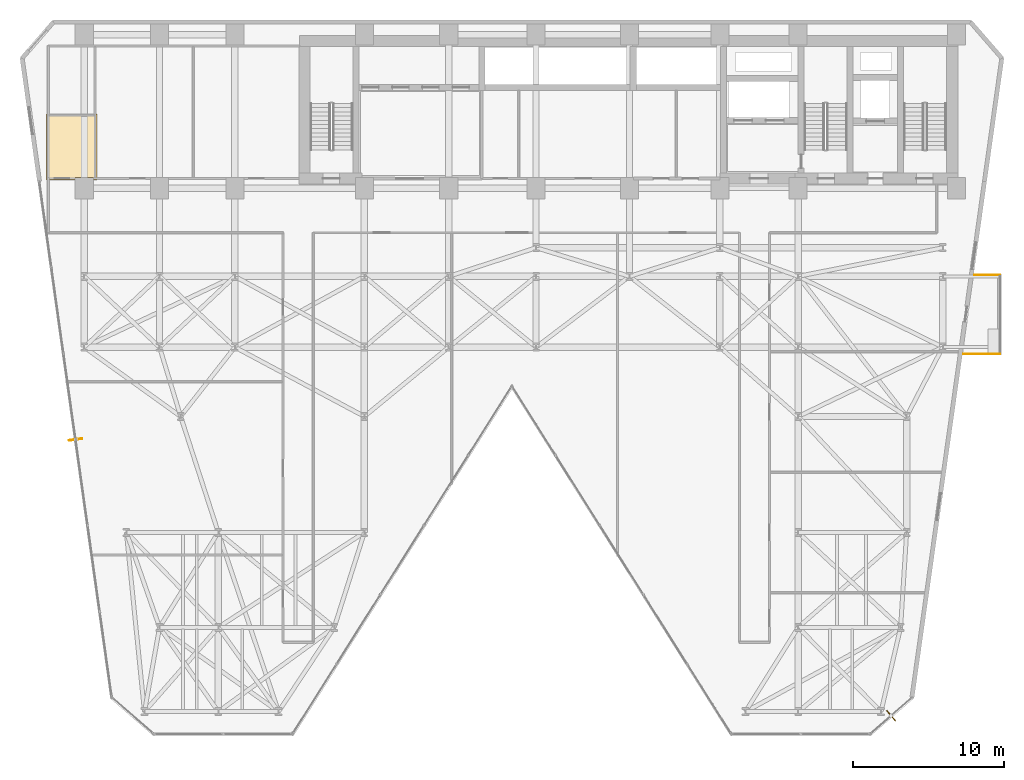
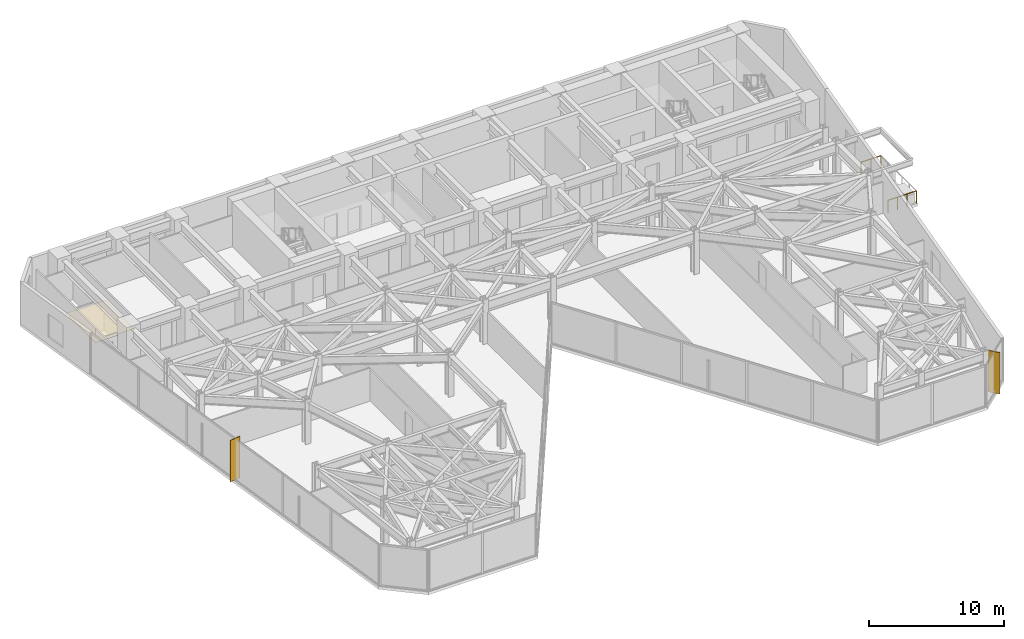
# One storey, part 23 of 25: 2 railings, 2 shading devices, 1 covering.
"""IFC4 building model written with IfcOpenShell, lengths in metres."""

from ifc_helpers import new_model, si_unit, direction, frame, origin, origin_2d, place, context, subcontext, project, spatial, polyline, rectangle, circle, outline, extrude, material, layer, layer_set, type_object, element, save


model = new_model("IFC4")

# Units and contexts
model_context = context("Model", 3, precision=1e-05, world=origin(), true_north=direction((0.0, 1.0)))
body_context = subcontext(model_context, "Body", "Model", "MODEL_VIEW")
ifc_project = project(units=[si_unit("LENGTHUNIT", "METRE"), si_unit("AREAUNIT", "SQUARE_METRE"), si_unit("VOLUMEUNIT", "CUBIC_METRE"), si_unit("PLANEANGLEUNIT", "RADIAN"), si_unit("MASSUNIT", "GRAM", prefix="KILO")], contexts=[model_context])

# Site, building, storey
site_placement = place(None, origin())
site = spatial("IfcSite", under=ifc_project, at=site_placement, CompositionType="ELEMENT")
building_placement = place(site_placement, origin())
building = spatial("IfcBuilding", under=site, at=building_placement, Name="Kravanh Interchange Tower", CompositionType="ELEMENT")
storey_placement = place(building_placement, frame((0.0, 0.0, 41.5)))
storey = spatial("IfcBuildingStorey", under=building, at=storey_placement, Name="L09", CompositionType="ELEMENT", Elevation=41.5)

# Covering
ifc_material_1 = material(Name="Acoustic Mineral Fibre Tile on Aluminium Grid", Category="aluminium")
ifc_layer_1 = layer(ifc_material_1, 0.02490234375)
ifc_layer_set_1 = layer_set([ifc_layer_1], Name="Perforated Acoustic Mineral Ceiling 25mm")
covering_type = type_object("IfcCoveringType", Name="Perforated Acoustic Mineral Ceiling 25mm", PredefinedType="CEILING", material=ifc_layer_set_1)
covering_placement = place(storey_placement, frame((0.0, 0.0, 2.550048828125)))
element("IfcCovering", 1, at=covering_placement, inside=storey, type_object=covering_type, Name="L09 Accessible WC Suspended Ceiling", PredefinedType="CEILING", context=body_context, shape_type="SweptSolid", body=[
    extrude(outline(polyline([(9.4599609375, 42.280029296875), (9.4599609375, 37.909912109375), (9.199951171875, 37.909912109375), (9.199951171875, 38.050048828125), (8.0, 38.050048828125), (8.0, 37.909912109375), (6.080078125, 37.909912109375), (6.080078125, 42.280029296875), (9.4599609375, 42.280029296875)])), origin(), (0.0, 0.0, 1.0), 0.02490234375),
])

# Railings
ifc_material_2 = material(Name="Stainless Steel 316", Category="steel")
ifc_layer_2 = layer(ifc_material_2, 0.06005859375)
ifc_layer_set_2 = layer_set([ifc_layer_2], Name="Perimeter Balcony and Terrace Guardrail Stainless 316 1120mm")
railing_type = type_object("IfcRailingType", Name="Perimeter Balcony and Terrace Guardrail Stainless 316 1120mm", PredefinedType="GUARDRAIL", material=ifc_layer_set_2)
railing_1_placement = place(storey_placement, frame((69.405029296875, 26.35009765625, 0.0)))
element("IfcRailing", 2, at=railing_1_placement, inside=storey, type_object=railing_type, Name="L09 E Balcony Guardrail 2", PredefinedType="GUARDRAIL", context=body_context, shape_type="SweptSolid", body=[
    extrude(circle(Radius=0.02392578125, at=origin_2d()), frame((0.0, 0.0, 1.09619140625), z_axis=(-1.0, 0.0, 0.0), x_axis=(0.0, -1.0, 0.0)), (0.0, 0.0, 1.0), 2.422119140625),
    extrude(circle(Radius=0.02099609375, at=origin_2d()), origin(), (0.0, 0.0, 1.0), 1.072021484375),
    extrude(circle(Radius=0.02099609375, at=origin_2d()), frame((-0.807373046875, 0.0, 0.0)), (0.0, 0.0, 1.0), 1.072021484375),
    extrude(circle(Radius=0.02099609375, at=origin_2d()), frame((-1.61474609375, 0.0, 0.0)), (0.0, 0.0, 1.0), 1.072021484375),
    extrude(circle(Radius=0.02099609375, at=origin_2d()), frame((-2.422119140625, 0.0, 0.0)), (0.0, 0.0, 1.0), 1.072021484375),
])
railing_2_placement = place(storey_placement, frame((67.719482421875, 31.590087890625, 0.0)))
element("IfcRailing", 3, at=railing_2_placement, inside=storey, type_object=railing_type, Name="L09 E Balcony Guardrail 3", PredefinedType="GUARDRAIL", context=body_context, shape_type="SweptSolid", body=[
    extrude(circle(Radius=0.02392578125, at=origin_2d()), frame((0.0, 0.0, 1.09619140625), z_axis=(1.0, 0.0, 0.0), x_axis=(0.0, 1.0, 0.0)), (0.0, 0.0, 1.0), 1.685546875),
    extrude(circle(Radius=0.02099609375, at=origin_2d()), origin(), (0.0, 0.0, 1.0), 1.072021484375),
    extrude(circle(Radius=0.02099609375, at=origin_2d()), frame((0.8427734375, 0.0, 0.0)), (0.0, 0.0, 1.0), 1.072021484375),
    extrude(circle(Radius=0.02099609375, at=origin_2d()), frame((1.685546875, 0.0, 0.0)), (0.0, 0.0, 1.0), 1.072021484375),
])

# Shading devices
ifc_material_3 = material(Name="Anodised Champagne Bronze Aluminium", Category="aluminium")
ifc_layer_3 = layer(ifc_material_3, 0.06005859375)
ifc_layer_set_3 = layer_set([ifc_layer_3], Name="Vertical Bronze Solar Fin 900mm")
shading_device_type = type_object("IfcShadingDeviceType", Name="Vertical Bronze Solar Fin 900mm", PredefinedType="USERDEFINED", material=ifc_layer_set_3)
for number, where, z_axis, x_axis, name in (
    (4, (8.03271484375, 20.66845703125, 0.0), (0.0, 0.0, 1.0), (-0.990267798532, -0.139175023587, 0.0), "L09 BRONZE SOLAR FIN 1"),
    (5, (62.16943359375, 2.328369140625, 0.0), (0.0, 0.0, 1.0), (0.656067828783, -0.754701930589, 0.0), "L09 BRONZE SOLAR FIN 2"),
):
    element("IfcShadingDevice", number, at=place(storey_placement, frame(where, z_axis=z_axis, x_axis=x_axis)), inside=storey, type_object=shading_device_type, Name=name, ObjectType="FIN", PredefinedType="USERDEFINED", context=body_context, shape_type="SweptSolid", body=[
        extrude(rectangle(XDim=0.89990234375, YDim=0.06005859375, at=origin_2d()), origin(), (0.0, 0.0, 1.0), 3.739990234375),
    ])

save(model, "model.ifc")
